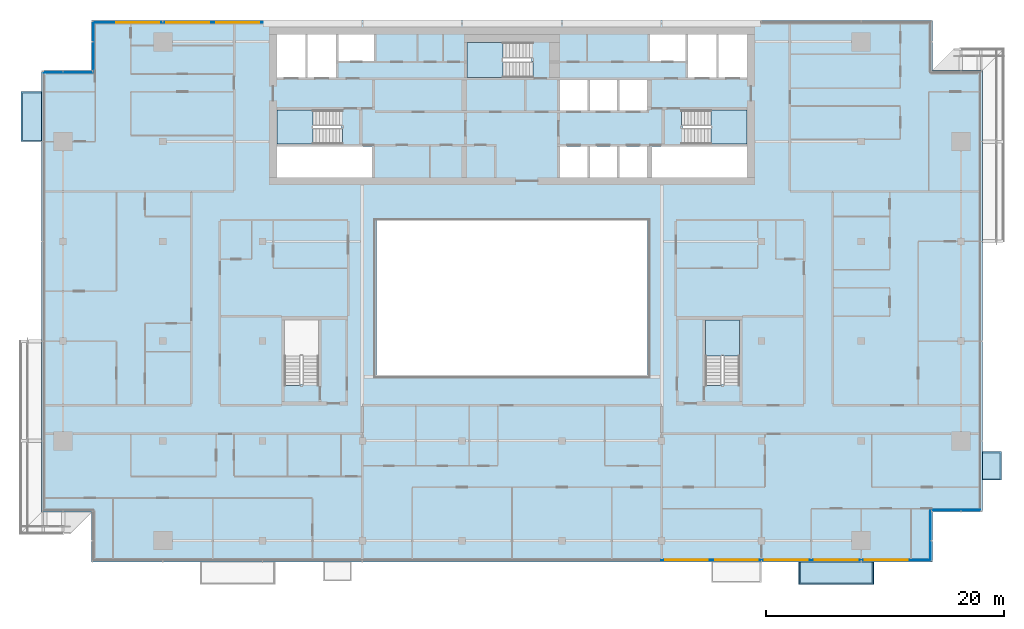
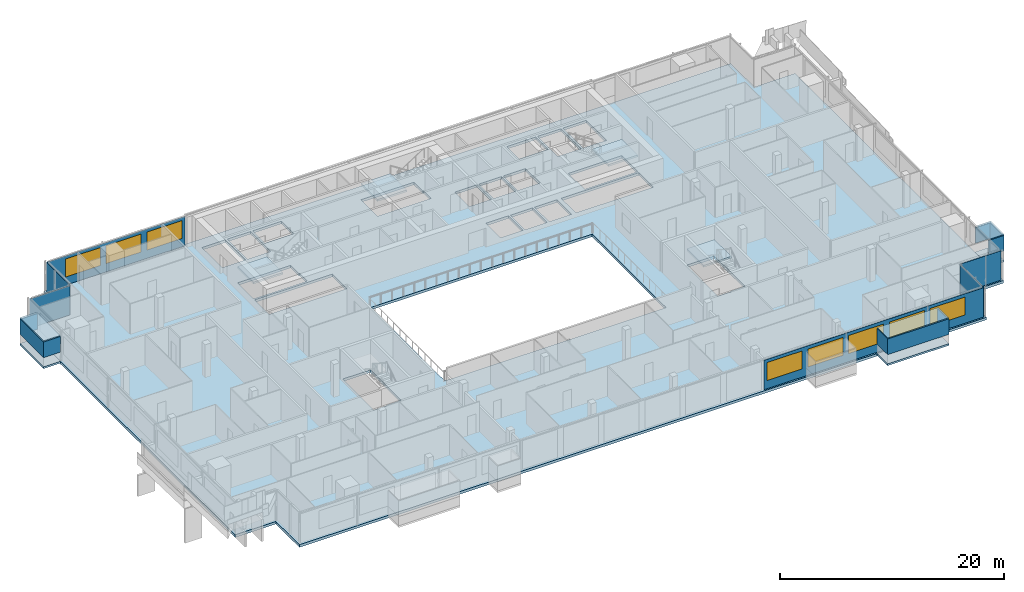
# One storey, part 16 of 30: 12 plates, 8 slabs, 8 windows, 8 openings, 10 elements without a shape of their own.
"""IFC4 building model written with IfcOpenShell, lengths in metres."""

from ifc_helpers import new_model, si_unit, direction, frame, frame_2d, origin, place, context, subcontext, project, spatial, polyline, rectangle, outline, extrude, material, layer, layer_set, type_object, element, fill, aggregate, save


model = new_model("IFC4")

# Units and contexts
model_context = context("Model", 3, precision=1e-05, world=origin(), true_north=direction((0.0, 1.0)))
body_context = subcontext(model_context, "Body", "Model", "MODEL_VIEW")
ifc_project = project(units=[si_unit("LENGTHUNIT", "METRE"), si_unit("AREAUNIT", "SQUARE_METRE"), si_unit("VOLUMEUNIT", "CUBIC_METRE"), si_unit("PLANEANGLEUNIT", "RADIAN"), si_unit("MASSUNIT", "GRAM", prefix="KILO")], contexts=[model_context])

# Site, building, storey
site_placement = place(None, origin())
site = spatial("IfcSite", under=ifc_project, at=site_placement, CompositionType="ELEMENT")
building_placement = place(site_placement, origin())
building = spatial("IfcBuilding", under=site, at=building_placement, Name="Saffron Gate Tower", CompositionType="ELEMENT")
storey_placement = place(building_placement, frame((0.0, 0.0, 223.5)))
storey = spatial("IfcBuildingStorey", under=building, at=storey_placement, Name="L54", CompositionType="ELEMENT", Elevation=223.5)

# Curtain wall, plate, openings, windows
ifc_material_1 = material(Name="Aluminium, bronze anodised", Category="aluminium")
curtain_wall_type_1 = type_object("IfcCurtainWallType", Name="CWS1 curtain wall front facade", PredefinedType="NOTDEFINED", material=ifc_material_1)
curtain_wall_1_placement = place(storey_placement, origin())
curtain_wall_1 = element("IfcCurtainWall", 1, at=curtain_wall_1_placement, inside=storey, type_object=curtain_wall_type_1, Name="CWS1 run 1", PredefinedType="NOTDEFINED")
ifc_material_2 = material(Name="Fritted bronze-tinted laminated glass", Category="glass")
ifc_layer_1 = layer(ifc_material_2, 0.028076171875)
ifc_layer_set_1 = layer_set([ifc_layer_1], Name="CWS1 fixed glass")
plate_type_1 = type_object("IfcPlateType", Name="CWS1 fixed glass", PredefinedType="CURTAIN_PANEL", material=ifc_layer_set_1)
plate_1_placement = place(storey_placement, frame((100.169921875, 30.174072265625, 0.0), z_axis=(0.0, 0.0, 1.0), x_axis=(1.0, 0.0, 0.0)))
plate_1 = element("IfcPlate", 2, at=plate_1_placement, type_object=plate_type_1, Name="CWS1 glass panel", PredefinedType="CURTAIN_PANEL", context=body_context, shape_type="SweptSolid", body=[
    extrude(rectangle(XDim=22.64208984375, YDim=0.028076171875, at=frame_2d((11.321044921875, 0.0))), origin(), (0.0, 0.0, 1.0), 3.199951171875),
])
opening_1_placement = place(plate_1_placement, frame((0.330078125, 0.0, 0.89990234375)))
opening_1 = element("IfcOpeningElement", 3, at=opening_1_placement, cuts=plate_1, Name="Opening W1", PredefinedType="OPENING", context=body_context, shape_type="SweptSolid", body=[
    extrude(rectangle(XDim=3.60009765625, YDim=1.949951171875, at=frame_2d((1.800048828125, 0.97509765625))), frame((0.0, 0.02392578125, 0.0), z_axis=(0.0, -1.0, 0.0), x_axis=(1.0, 0.0, 0.0)), (0.0, 0.0, 1.0), 0.048095703125),
])
opening_2_placement = place(plate_1_placement, frame((4.530029296875, 0.0, 0.89990234375)))
opening_2 = element("IfcOpeningElement", 4, at=opening_2_placement, cuts=plate_1, Name="Opening W1", PredefinedType="OPENING", context=body_context, shape_type="SweptSolid", body=[
    extrude(rectangle(XDim=3.60009765625, YDim=1.949951171875, at=frame_2d((1.800048828125, 0.97509765625))), frame((0.0, 0.02392578125, 0.0), z_axis=(0.0, -1.0, 0.0), x_axis=(1.0, 0.0, 0.0)), (0.0, 0.0, 1.0), 0.048095703125),
])
opening_3_placement = place(plate_1_placement, frame((8.72998046875, 0.0, 0.89990234375)))
opening_3 = element("IfcOpeningElement", 5, at=opening_3_placement, cuts=plate_1, Name="Opening W1", PredefinedType="OPENING", context=body_context, shape_type="SweptSolid", body=[
    extrude(rectangle(XDim=3.60009765625, YDim=1.949951171875, at=frame_2d((1.800048828125, 0.97509765625))), frame((0.0, 0.02392578125, 0.0), z_axis=(0.0, -1.0, 0.0), x_axis=(1.0, 0.0, 0.0)), (0.0, 0.0, 1.0), 0.048095703125),
])
opening_4_placement = place(plate_1_placement, frame((12.929931640625, 0.0, 0.89990234375)))
opening_4 = element("IfcOpeningElement", 6, at=opening_4_placement, cuts=plate_1, Name="Opening W1", PredefinedType="OPENING", context=body_context, shape_type="SweptSolid", body=[
    extrude(rectangle(XDim=3.60009765625, YDim=1.949951171875, at=frame_2d((1.800048828125, 0.97509765625))), frame((0.0, 0.02392578125, 0.0), z_axis=(0.0, -1.0, 0.0), x_axis=(1.0, 0.0, 0.0)), (0.0, 0.0, 1.0), 0.048095703125),
])
opening_5_placement = place(plate_1_placement, frame((17.1298828125, 0.0, 0.89990234375)))
opening_5 = element("IfcOpeningElement", 7, at=opening_5_placement, cuts=plate_1, Name="Opening W1", PredefinedType="OPENING", context=body_context, shape_type="SweptSolid", body=[
    extrude(rectangle(XDim=3.60009765625, YDim=1.949951171875, at=frame_2d((1.800048828125, 0.97509765625))), frame((0.0, 0.02392578125, 0.0), z_axis=(0.0, -1.0, 0.0), x_axis=(1.0, 0.0, 0.0)), (0.0, 0.0, 1.0), 0.048095703125),
])
ifc_material_3 = material(Name="Fritted bronze-tinted laminated glass in bronze frame", Category="glass")
ifc_layer_2 = layer(ifc_material_3, 0.06005859375)
ifc_layer_set_2 = layer_set([ifc_layer_2], Name="W1 operable panel 3600x1950")
window_type = type_object("IfcWindowType", Name="W1 operable panel 3600x1950", PartitioningType="DOUBLE_PANEL_HORIZONTAL", PredefinedType="WINDOW", material=ifc_layer_set_2)
window_1_placement = place(opening_1_placement, origin())
window_1 = element("IfcWindow", 8, at=window_1_placement, type_object=window_type, Name="W1 operable panel", OverallHeight=1.949951171875, OverallWidth=3.60009765625, PartitioningType="SINGLE_PANEL", PredefinedType="WINDOW", context=body_context, shape_type="SweptSolid", body=[
    extrude(rectangle(XDim=3.60009765625, YDim=1.949951171875, at=frame_2d((1.800048828125, 0.97509765625))), frame((0.0, 0.013671875, 0.0), z_axis=(0.0, -1.0, 0.0), x_axis=(1.0, 0.0, 0.0)), (0.0, 0.0, 1.0), 0.027587890625),
])
fill(opening_1, window_1)
window_2_placement = place(opening_2_placement, origin())
window_2 = element("IfcWindow", 9, at=window_2_placement, type_object=window_type, Name="W1 operable panel", OverallHeight=1.949951171875, OverallWidth=3.60009765625, PartitioningType="SINGLE_PANEL", PredefinedType="WINDOW", context=body_context, shape_type="SweptSolid", body=[
    extrude(rectangle(XDim=3.60009765625, YDim=1.949951171875, at=frame_2d((1.800048828125, 0.97509765625))), frame((0.0, 0.013671875, 0.0), z_axis=(0.0, -1.0, 0.0), x_axis=(1.0, 0.0, 0.0)), (0.0, 0.0, 1.0), 0.027587890625),
])
fill(opening_2, window_2)
window_3_placement = place(opening_3_placement, origin())
window_3 = element("IfcWindow", 10, at=window_3_placement, type_object=window_type, Name="W1 operable panel", OverallHeight=1.949951171875, OverallWidth=3.60009765625, PartitioningType="SINGLE_PANEL", PredefinedType="WINDOW", context=body_context, shape_type="SweptSolid", body=[
    extrude(rectangle(XDim=3.60009765625, YDim=1.949951171875, at=frame_2d((1.800048828125, 0.97509765625))), frame((0.0, 0.013671875, 0.0), z_axis=(0.0, -1.0, 0.0), x_axis=(1.0, 0.0, 0.0)), (0.0, 0.0, 1.0), 0.027587890625),
])
fill(opening_3, window_3)
window_4_placement = place(opening_4_placement, origin())
window_4 = element("IfcWindow", 11, at=window_4_placement, type_object=window_type, Name="W1 operable panel", OverallHeight=1.949951171875, OverallWidth=3.60009765625, PartitioningType="SINGLE_PANEL", PredefinedType="WINDOW", context=body_context, shape_type="SweptSolid", body=[
    extrude(rectangle(XDim=3.60009765625, YDim=1.949951171875, at=frame_2d((1.800048828125, 0.97509765625))), frame((0.0, 0.013671875, 0.0), z_axis=(0.0, -1.0, 0.0), x_axis=(1.0, 0.0, 0.0)), (0.0, 0.0, 1.0), 0.027587890625),
])
fill(opening_4, window_4)
window_5_placement = place(opening_5_placement, origin())
window_5 = element("IfcWindow", 12, at=window_5_placement, type_object=window_type, Name="W1 operable panel", OverallHeight=1.949951171875, OverallWidth=3.60009765625, PartitioningType="SINGLE_PANEL", PredefinedType="WINDOW", context=body_context, shape_type="SweptSolid", body=[
    extrude(rectangle(XDim=3.60009765625, YDim=1.949951171875, at=frame_2d((1.800048828125, 0.97509765625))), frame((0.0, 0.013671875, 0.0), z_axis=(0.0, -1.0, 0.0), x_axis=(1.0, 0.0, 0.0)), (0.0, 0.0, 1.0), 0.027587890625),
])
fill(opening_5, window_5)
aggregate(curtain_wall_1, [plate_1, window_1, window_2, window_3, window_4, window_5])

curtain_wall_type_2 = type_object("IfcCurtainWallType", Name="CWS3 curtain wall rear facade", PredefinedType="NOTDEFINED", material=ifc_material_1)
curtain_wall_2_placement = place(storey_placement, origin())
curtain_wall_2 = element("IfcCurtainWall", 13, at=curtain_wall_2_placement, inside=storey, type_object=curtain_wall_type_2, Name="CWS3 run 7", PredefinedType="NOTDEFINED")
ifc_material_4 = material(Name="Fritted grey-tinted laminated glass", Category="glass")
ifc_layer_3 = layer(ifc_material_4, 0.028076171875)
ifc_layer_set_3 = layer_set([ifc_layer_3], Name="CWS3 fixed glass")
plate_type_2 = type_object("IfcPlateType", Name="CWS3 fixed glass", PredefinedType="CURTAIN_PANEL", material=ifc_layer_set_3)
plate_2_placement = place(storey_placement, frame((66.635009765625, 75.426025390625, 0.0), z_axis=(0.0, 0.0, 1.0), x_axis=(-1.0, 0.0, 0.0)))
plate_2 = element("IfcPlate", 14, at=plate_2_placement, type_object=plate_type_2, Name="CWS3 glass panel", PredefinedType="CURTAIN_PANEL", context=body_context, shape_type="SweptSolid", body=[
    extrude(rectangle(XDim=14.2470703125, YDim=0.028076171875, at=frame_2d((7.12353515625, 0.0))), origin(), (0.0, 0.0, 1.0), 3.199951171875),
])
opening_6_placement = place(plate_2_placement, frame((0.3349609375, 0.0, 0.89990234375)))
opening_6 = element("IfcOpeningElement", 15, at=opening_6_placement, cuts=plate_2, Name="Opening W1", PredefinedType="OPENING", context=body_context, shape_type="SweptSolid", body=[
    extrude(rectangle(XDim=3.60009765625, YDim=1.949951171875, at=frame_2d((1.800048828125, 0.97509765625))), frame((0.0, 0.02392578125, 0.0), z_axis=(0.0, -1.0, 0.0), x_axis=(1.0, 0.0, 0.0)), (0.0, 0.0, 1.0), 0.048095703125),
])
opening_7_placement = place(plate_2_placement, frame((4.534912109375, 0.0, 0.89990234375)))
opening_7 = element("IfcOpeningElement", 16, at=opening_7_placement, cuts=plate_2, Name="Opening W1", PredefinedType="OPENING", context=body_context, shape_type="SweptSolid", body=[
    extrude(rectangle(XDim=3.60009765625, YDim=1.949951171875, at=frame_2d((1.800048828125, 0.97509765625))), frame((0.0, 0.02392578125, 0.0), z_axis=(0.0, -1.0, 0.0), x_axis=(1.0, 0.0, 0.0)), (0.0, 0.0, 1.0), 0.048095703125),
])
opening_8_placement = place(plate_2_placement, frame((8.735107421875, 0.0, 0.89990234375)))
opening_8 = element("IfcOpeningElement", 17, at=opening_8_placement, cuts=plate_2, Name="Opening W1", PredefinedType="OPENING", context=body_context, shape_type="SweptSolid", body=[
    extrude(rectangle(XDim=3.60009765625, YDim=1.949951171875, at=frame_2d((1.800048828125, 0.97509765625))), frame((0.0, 0.02392578125, 0.0), z_axis=(0.0, -1.0, 0.0), x_axis=(1.0, 0.0, 0.0)), (0.0, 0.0, 1.0), 0.048095703125),
])
window_6_placement = place(opening_6_placement, origin())
window_6 = element("IfcWindow", 18, at=window_6_placement, type_object=window_type, Name="W1 operable panel", OverallHeight=1.949951171875, OverallWidth=3.60009765625, PartitioningType="SINGLE_PANEL", PredefinedType="WINDOW", context=body_context, shape_type="SweptSolid", body=[
    extrude(rectangle(XDim=3.60009765625, YDim=1.949951171875, at=frame_2d((1.800048828125, 0.97509765625))), frame((0.0, 0.013671875, 0.0), z_axis=(0.0, -1.0, 0.0), x_axis=(1.0, 0.0, 0.0)), (0.0, 0.0, 1.0), 0.027587890625),
])
fill(opening_6, window_6)
window_7_placement = place(opening_7_placement, origin())
window_7 = element("IfcWindow", 19, at=window_7_placement, type_object=window_type, Name="W1 operable panel", OverallHeight=1.949951171875, OverallWidth=3.60009765625, PartitioningType="SINGLE_PANEL", PredefinedType="WINDOW", context=body_context, shape_type="SweptSolid", body=[
    extrude(rectangle(XDim=3.60009765625, YDim=1.949951171875, at=frame_2d((1.800048828125, 0.97509765625))), frame((0.0, 0.013671875, 0.0), z_axis=(0.0, -1.0, 0.0), x_axis=(1.0, 0.0, 0.0)), (0.0, 0.0, 1.0), 0.027587890625),
])
fill(opening_7, window_7)
window_8_placement = place(opening_8_placement, origin())
window_8 = element("IfcWindow", 20, at=window_8_placement, type_object=window_type, Name="W1 operable panel", OverallHeight=1.949951171875, OverallWidth=3.60009765625, PartitioningType="SINGLE_PANEL", PredefinedType="WINDOW", context=body_context, shape_type="SweptSolid", body=[
    extrude(rectangle(XDim=3.60009765625, YDim=1.949951171875, at=frame_2d((1.800048828125, 0.97509765625))), frame((0.0, 0.013671875, 0.0), z_axis=(0.0, -1.0, 0.0), x_axis=(1.0, 0.0, 0.0)), (0.0, 0.0, 1.0), 0.027587890625),
])
fill(opening_8, window_8)
aggregate(curtain_wall_2, [plate_2, window_6, window_7, window_8])

# Curtain wall, plate
curtain_wall_type_3 = type_object("IfcCurtainWallType", Name="CWS4 curtain wall corner returns", PredefinedType="NOTDEFINED", material=ifc_material_1)
curtain_wall_3_placement = place(storey_placement, origin())
curtain_wall_3 = element("IfcCurtainWall", 21, at=curtain_wall_3_placement, inside=storey, type_object=curtain_wall_type_3, Name="CWS4 run 2", PredefinedType="NOTDEFINED")
ifc_layer_4 = layer(ifc_material_2, 0.028076171875)
ifc_layer_set_4 = layer_set([ifc_layer_4], Name="CWS4 fixed glass")
plate_type_3 = type_object("IfcPlateType", Name="CWS4 fixed glass", PredefinedType="CURTAIN_PANEL", material=ifc_layer_set_4)
plate_3_placement = place(storey_placement, frame((122.825927734375, 30.18798828125, 0.0), z_axis=(0.0, 0.0, 1.0), x_axis=(0.0, 1.0, 0.0)))
plate_3 = element("IfcPlate", 22, at=plate_3_placement, type_object=plate_type_3, Name="CWS4 glass panel", PredefinedType="CURTAIN_PANEL", context=body_context, shape_type="SweptSolid", body=[
    extrude(rectangle(XDim=4.172119140625, YDim=0.028076171875, at=frame_2d((2.0859375, 0.0))), origin(), (0.0, 0.0, 1.0), 3.199951171875),
])
aggregate(curtain_wall_3, [plate_3])

curtain_wall_4_placement = place(storey_placement, origin())
curtain_wall_4 = element("IfcCurtainWall", 23, at=curtain_wall_4_placement, inside=storey, type_object=curtain_wall_type_3, Name="CWS4 run 3", PredefinedType="NOTDEFINED")
plate_4_placement = place(storey_placement, frame((122.840087890625, 34.3740234375, 0.0), z_axis=(0.0, 0.0, 1.0), x_axis=(1.0, 0.0, 0.0)))
plate_4 = element("IfcPlate", 24, at=plate_4_placement, type_object=plate_type_3, Name="CWS4 glass panel", PredefinedType="CURTAIN_PANEL", context=body_context, shape_type="SweptSolid", body=[
    extrude(rectangle(XDim=4.171875, YDim=0.028076171875, at=frame_2d((2.0859375, 0.0))), origin(), (0.0, 0.0, 1.0), 3.199951171875),
])
aggregate(curtain_wall_4, [plate_4])

curtain_wall_5_placement = place(storey_placement, origin())
curtain_wall_5 = element("IfcCurtainWall", 25, at=curtain_wall_5_placement, inside=storey, type_object=curtain_wall_type_3, Name="CWS4 run 8", PredefinedType="NOTDEFINED")
plate_5_placement = place(storey_placement, frame((52.3740234375, 75.412109375, 0.0), z_axis=(0.0, 0.0, 1.0), x_axis=(0.0, -1.0, 0.0)))
plate_5 = element("IfcPlate", 26, at=plate_5_placement, type_object=plate_type_3, Name="CWS4 glass panel", PredefinedType="CURTAIN_PANEL", context=body_context, shape_type="SweptSolid", body=[
    extrude(rectangle(XDim=4.172119140625, YDim=0.028076171875, at=frame_2d((2.0859375, 0.0))), origin(), (0.0, 0.0, 1.0), 3.199951171875),
])
aggregate(curtain_wall_5, [plate_5])

curtain_wall_6_placement = place(storey_placement, origin())
curtain_wall_6 = element("IfcCurtainWall", 27, at=curtain_wall_6_placement, inside=storey, type_object=curtain_wall_type_3, Name="CWS4 run 9", PredefinedType="NOTDEFINED")
plate_6_placement = place(storey_placement, frame((52.360107421875, 71.22607421875, 0.0), z_axis=(0.0, 0.0, 1.0), x_axis=(-1.0, 0.0, 0.0)))
plate_6 = element("IfcPlate", 28, at=plate_6_placement, type_object=plate_type_3, Name="CWS4 glass panel", PredefinedType="CURTAIN_PANEL", context=body_context, shape_type="SweptSolid", body=[
    extrude(rectangle(XDim=4.172119140625, YDim=0.028076171875, at=frame_2d((2.0859375, 0.0))), origin(), (0.0, 0.0, 1.0), 3.199951171875),
])
aggregate(curtain_wall_6, [plate_6])

# Slab
ifc_material_5 = material(Name="Concrete C40", Category="concrete")
ifc_layer_5 = layer(ifc_material_5, 0.280029296875)
ifc_layer_set_5 = layer_set([ifc_layer_5], Name="S2 FLOOR SLAB 280 CONCRETE C40")
slab_type_1 = type_object("IfcSlabType", Name="S2 FLOOR SLAB 280 CONCRETE C40", PredefinedType="FLOOR", material=ifc_layer_set_5)
slab_1_placement = place(storey_placement, frame((0.0, 0.0, -0.280029296875)))
element("IfcSlab", 29, at=slab_1_placement, inside=storey, type_object=slab_type_1, Name="S2 FLOOR SLAB", PredefinedType="FLOOR", context=body_context, shape_type="SweptSolid", body=[
    extrude(outline(polyline([(48.0, 34.199951171875), (52.199951171875, 34.199951171875), (52.199951171875, 30.0), (123.0, 30.0), (123.0, 34.199951171875), (127.199951171875, 34.199951171875), (127.199951171875, 71.39990234375), (123.0, 71.39990234375), (123.0, 75.60009765625), (52.199951171875, 75.60009765625), (52.199951171875, 71.39990234375), (48.0, 71.39990234375), (48.0, 34.199951171875)]), holes=[polyline([(67.800048828125, 62.39990234375), (67.800048828125, 65.0), (75.800048828125, 65.0), (75.800048828125, 62.39990234375), (67.800048828125, 62.39990234375)]), polyline([(67.800048828125, 65.199951171875), (67.800048828125, 68.050048828125), (73.25, 68.050048828125), (73.25, 66.550048828125), (73.34912109375, 66.550048828125), (73.34912109375, 65.199951171875), (67.800048828125, 65.199951171875)]), polyline([(67.800048828125, 70.800048828125), (67.800048828125, 74.39990234375), (70.199951171875, 74.39990234375), (70.199951171875, 70.800048828125), (67.800048828125, 70.800048828125)]), polyline([(68.449951171875, 44.85107421875), (68.449951171875, 50.39990234375), (71.300048828125, 50.39990234375), (71.300048828125, 44.949951171875), (69.800048828125, 44.949951171875), (69.800048828125, 44.85107421875), (68.449951171875, 44.85107421875)]), polyline([(70.39990234375, 70.800048828125), (70.39990234375, 74.39990234375), (72.800048828125, 74.39990234375), (72.800048828125, 70.800048828125), (70.39990234375, 70.800048828125)]), polyline([(73.0, 72.199951171875), (73.0, 74.39990234375), (76.0, 74.39990234375), (76.0, 72.199951171875), (73.0, 72.199951171875)]), polyline([(76.199951171875, 45.60009765625), (76.199951171875, 58.800048828125), (99.0, 58.800048828125), (99.0, 45.60009765625), (76.199951171875, 45.60009765625)]), polyline([(83.800048828125, 70.800048828125), (83.800048828125, 73.75), (89.25, 73.75), (89.25, 72.14990234375), (89.34912109375, 72.14990234375), (89.34912109375, 70.800048828125), (83.800048828125, 70.800048828125)]), polyline([(91.64990234375, 62.39990234375), (91.64990234375, 65.0), (93.949951171875, 65.0), (93.949951171875, 62.39990234375), (91.64990234375, 62.39990234375)]), polyline([(91.64990234375, 68.0), (91.64990234375, 70.60009765625), (93.949951171875, 70.60009765625), (93.949951171875, 68.0), (91.64990234375, 68.0)]), polyline([(94.14990234375, 62.39990234375), (94.14990234375, 65.0), (96.449951171875, 65.0), (96.449951171875, 62.39990234375), (94.14990234375, 62.39990234375)]), polyline([(94.14990234375, 68.0), (94.14990234375, 70.60009765625), (96.449951171875, 70.60009765625), (96.449951171875, 68.0), (94.14990234375, 68.0)]), polyline([(96.64990234375, 62.39990234375), (96.64990234375, 65.0), (98.949951171875, 65.0), (98.949951171875, 62.39990234375), (96.64990234375, 62.39990234375)]), polyline([(96.64990234375, 68.0), (96.64990234375, 70.60009765625), (98.949951171875, 70.60009765625), (98.949951171875, 68.0), (96.64990234375, 68.0)]), polyline([(99.199951171875, 72.199951171875), (99.199951171875, 74.39990234375), (102.199951171875, 74.39990234375), (102.199951171875, 72.199951171875), (99.199951171875, 72.199951171875)]), polyline([(99.39990234375, 62.39990234375), (99.39990234375, 65.0), (107.39990234375, 65.0), (107.39990234375, 62.39990234375), (99.39990234375, 62.39990234375)]), polyline([(101.85107421875, 66.699951171875), (101.85107421875, 68.050048828125), (107.39990234375, 68.050048828125), (107.39990234375, 65.199951171875), (101.949951171875, 65.199951171875), (101.949951171875, 66.699951171875), (101.85107421875, 66.699951171875)]), polyline([(102.39990234375, 70.800048828125), (102.39990234375, 74.39990234375), (104.800048828125, 74.39990234375), (104.800048828125, 70.800048828125), (102.39990234375, 70.800048828125)]), polyline([(103.89990234375, 44.85107421875), (103.89990234375, 50.39990234375), (106.75, 50.39990234375), (106.75, 44.949951171875), (105.25, 44.949951171875), (105.25, 44.85107421875), (103.89990234375, 44.85107421875)]), polyline([(105.0, 70.800048828125), (105.0, 74.39990234375), (107.39990234375, 74.39990234375), (107.39990234375, 70.800048828125), (105.0, 70.800048828125)])]), origin(), (0.0, 0.0, 1.0), 0.280029296875),
])

# Stair, slab
stair_type = type_object("IfcStairType", Name="ST7 Stair 1350 wide, 20 risers of 180", PredefinedType="HALF_TURN_STAIR", material=ifc_material_5)
stair_1_placement = place(storey_placement, origin())
stair_1 = element("IfcStair", 30, at=stair_1_placement, inside=storey, type_object=stair_type, Name="L54 Exit stair A", PredefinedType="HALF_TURN_STAIR")
ifc_layer_6 = layer(ifc_material_5, 0.199951171875)
ifc_layer_set_6 = layer_set([ifc_layer_6], Name="SL1 Stair landing 200")
slab_type_2 = type_object("IfcSlabType", Name="SL1 Stair landing 200", PredefinedType="LANDING", material=ifc_layer_set_6)
slab_2_placement = place(storey_placement, frame((0.0, 0.0, 1.60009765625)))
slab_2 = element("IfcSlab", 31, at=slab_2_placement, type_object=slab_type_2, Name="ST-A landing 1", PredefinedType="LANDING", context=body_context, shape_type="SweptSolid", body=[
    extrude(outline(polyline([(70.830078125, 68.050048828125), (67.800048828125, 68.050048828125), (67.800048828125, 65.199951171875), (70.830078125, 65.199951171875), (70.830078125, 68.050048828125)])), origin(), (0.0, 0.0, 1.0), 0.199951171875),
])
aggregate(stair_1, [slab_2])

stair_2_placement = place(storey_placement, origin())
stair_2 = element("IfcStair", 32, at=stair_2_placement, inside=storey, type_object=stair_type, Name="L54 Exit stair B", PredefinedType="HALF_TURN_STAIR")
slab_3_placement = place(storey_placement, frame((0.0, 0.0, 1.60009765625)))
slab_3 = element("IfcSlab", 33, at=slab_3_placement, type_object=slab_type_2, Name="ST-B landing 1", PredefinedType="LANDING", context=body_context, shape_type="SweptSolid", body=[
    extrude(outline(polyline([(104.3701171875, 65.199951171875), (107.39990234375, 65.199951171875), (107.39990234375, 68.050048828125), (104.3701171875, 68.050048828125), (104.3701171875, 65.199951171875)])), origin(), (0.0, 0.0, 1.0), 0.199951171875),
])
aggregate(stair_2, [slab_3])

stair_3_placement = place(storey_placement, origin())
stair_3 = element("IfcStair", 34, at=stair_3_placement, inside=storey, type_object=stair_type, Name="L54 Exit stair C", PredefinedType="HALF_TURN_STAIR")
slab_4_placement = place(storey_placement, frame((0.0, 0.0, 1.60009765625)))
slab_4 = element("IfcSlab", 35, at=slab_4_placement, type_object=slab_type_2, Name="ST-C landing 1", PredefinedType="LANDING", context=body_context, shape_type="SweptSolid", body=[
    extrude(outline(polyline([(86.830078125, 73.75), (83.800048828125, 73.75), (83.800048828125, 70.800048828125), (86.830078125, 70.800048828125), (86.830078125, 73.75)])), origin(), (0.0, 0.0, 1.0), 0.199951171875),
])
aggregate(stair_3, [slab_4])

stair_4_placement = place(storey_placement, origin())
stair_4 = element("IfcStair", 36, at=stair_4_placement, inside=storey, type_object=stair_type, Name="L54 Exit stair E", PredefinedType="HALF_TURN_STAIR")
slab_5_placement = place(storey_placement, frame((0.0, 0.0, 1.60009765625)))
slab_5 = element("IfcSlab", 37, at=slab_5_placement, type_object=slab_type_2, Name="ST-E landing 1", PredefinedType="LANDING", context=body_context, shape_type="SweptSolid", body=[
    extrude(outline(polyline([(106.75, 47.3701171875), (106.75, 50.39990234375), (103.89990234375, 50.39990234375), (103.89990234375, 47.3701171875), (106.75, 47.3701171875)])), origin(), (0.0, 0.0, 1.0), 0.199951171875),
])
aggregate(stair_4, [slab_5])

# Slabs
ifc_material_6 = material(Name="Timber deck on bronze frame", Category="wood")
ifc_layer_7 = layer(ifc_material_6, 0.199951171875)
ifc_layer_set_7 = layer_set([ifc_layer_7], Name="WB1 box floor")
slab_type_3 = type_object("IfcSlabType", Name="WB1 box floor", PredefinedType="FLOOR", material=ifc_layer_set_7)
slab_6_placement = place(storey_placement, frame((0.0, 0.0, -0.199951171875)))
element("IfcSlab", 38, at=slab_6_placement, inside=storey, type_object=slab_type_3, Name="WINDOW BOX floor", PredefinedType="FLOOR", context=body_context, shape_type="SweptSolid", body=[
    extrude(outline(polyline([(111.75, 30.0), (118.050048828125, 30.0), (118.050048828125, 28.133056640625), (111.75, 28.133056640625), (111.75, 30.0)])), origin(), (0.0, 0.0, 1.0), 0.199951171875),
])
slab_7_placement = place(storey_placement, frame((0.0, 0.0, -0.199951171875)))
element("IfcSlab", 39, at=slab_7_placement, inside=storey, type_object=slab_type_3, Name="WINDOW BOX floor", PredefinedType="FLOOR", context=body_context, shape_type="SweptSolid", body=[
    extrude(outline(polyline([(127.199951171875, 36.89990234375), (127.199951171875, 39.300048828125), (128.800048828125, 39.300048828125), (128.800048828125, 36.89990234375), (127.199951171875, 36.89990234375)])), origin(), (0.0, 0.0, 1.0), 0.199951171875),
])
slab_8_placement = place(storey_placement, frame((0.0, 0.0, -0.199951171875)))
element("IfcSlab", 40, at=slab_8_placement, inside=storey, type_object=slab_type_3, Name="WINDOW BOX floor", PredefinedType="FLOOR", context=body_context, shape_type="SweptSolid", body=[
    extrude(outline(polyline([(48.0, 69.60009765625), (48.0, 65.39990234375), (46.26708984375, 65.39990234375), (46.26708984375, 69.60009765625), (48.0, 69.60009765625)])), origin(), (0.0, 0.0, 1.0), 0.199951171875),
])

# Plates
ifc_layer_8 = layer(ifc_material_1, 0.1201171875)
ifc_layer_set_8 = layer_set([ifc_layer_8], Name="WB2 box roof")
plate_type_4 = type_object("IfcPlateType", Name="WB2 box roof", PredefinedType="SHEET", material=ifc_layer_set_8)
plate_7_placement = place(storey_placement, frame((0.0, 0.0, 2.699951171875)))
element("IfcPlate", 41, at=plate_7_placement, inside=storey, type_object=plate_type_4, Name="WINDOW BOX roof", PredefinedType="SHEET", context=body_context, shape_type="SweptSolid", body=[
    extrude(outline(polyline([(111.75, 30.0), (118.050048828125, 30.0), (118.050048828125, 28.133056640625), (111.75, 28.133056640625), (111.75, 30.0)])), origin(), (0.0, 0.0, 1.0), 0.1201171875),
])
plate_8_placement = place(storey_placement, frame((0.0, 0.0, 2.699951171875)))
element("IfcPlate", 42, at=plate_8_placement, inside=storey, type_object=plate_type_4, Name="WINDOW BOX roof", PredefinedType="SHEET", context=body_context, shape_type="SweptSolid", body=[
    extrude(outline(polyline([(127.199951171875, 36.89990234375), (127.199951171875, 39.300048828125), (128.800048828125, 39.300048828125), (128.800048828125, 36.89990234375), (127.199951171875, 36.89990234375)])), origin(), (0.0, 0.0, 1.0), 0.1201171875),
])
plate_9_placement = place(storey_placement, frame((0.0, 0.0, 2.699951171875)))
element("IfcPlate", 43, at=plate_9_placement, inside=storey, type_object=plate_type_4, Name="WINDOW BOX roof", PredefinedType="SHEET", context=body_context, shape_type="SweptSolid", body=[
    extrude(outline(polyline([(48.0, 69.60009765625), (48.0, 65.39990234375), (46.26708984375, 65.39990234375), (46.26708984375, 69.60009765625), (48.0, 69.60009765625)])), origin(), (0.0, 0.0, 1.0), 0.1201171875),
])
ifc_material_7 = material(Name="Clear low-iron laminated glass", Category="glass")
ifc_layer_9 = layer(ifc_material_7, 0.10009765625)
ifc_layer_set_9 = layer_set([ifc_layer_9], Name="WB6 box glazing")
plate_type_5 = type_object("IfcPlateType", Name="WB6 box glazing", PredefinedType="SHEET", material=ifc_layer_set_9)
plate_10_placement = place(storey_placement, frame((0.0, 0.0, 1.0)))
element("IfcPlate", 44, at=plate_10_placement, inside=storey, type_object=plate_type_5, Name="WINDOW BOX glazing", PredefinedType="SHEET", context=body_context, shape_type="SweptSolid", body=[
    extrude(outline(polyline([(111.75, 30.0), (111.85009765625, 30.0), (111.85009765625, 28.23291015625), (117.949951171875, 28.23291015625), (117.949951171875, 30.0), (118.050048828125, 30.0), (118.050048828125, 28.133056640625), (111.75, 28.133056640625), (111.75, 30.0)])), origin(), (0.0, 0.0, 1.0), 1.699951171875),
])
plate_11_placement = place(storey_placement, frame((0.0, 0.0, 1.0)))
element("IfcPlate", 45, at=plate_11_placement, inside=storey, type_object=plate_type_5, Name="WINDOW BOX glazing", PredefinedType="SHEET", context=body_context, shape_type="SweptSolid", body=[
    extrude(outline(polyline([(127.199951171875, 36.89990234375), (127.199951171875, 37.0), (128.699951171875, 37.0), (128.699951171875, 39.199951171875), (127.199951171875, 39.199951171875), (127.199951171875, 39.300048828125), (128.800048828125, 39.300048828125), (128.800048828125, 36.89990234375), (127.199951171875, 36.89990234375)])), origin(), (0.0, 0.0, 1.0), 1.699951171875),
])
plate_12_placement = place(storey_placement, frame((0.0, 0.0, 1.0)))
element("IfcPlate", 46, at=plate_12_placement, inside=storey, type_object=plate_type_5, Name="WINDOW BOX glazing", PredefinedType="SHEET", context=body_context, shape_type="SweptSolid", body=[
    extrude(outline(polyline([(48.0, 69.60009765625), (48.0, 69.5), (46.366943359375, 69.5), (46.366943359375, 65.5), (48.0, 65.5), (48.0, 65.39990234375), (46.26708984375, 65.39990234375), (46.26708984375, 69.60009765625), (48.0, 69.60009765625)])), origin(), (0.0, 0.0, 1.0), 1.699951171875),
])

save(model, "model.ifc")
